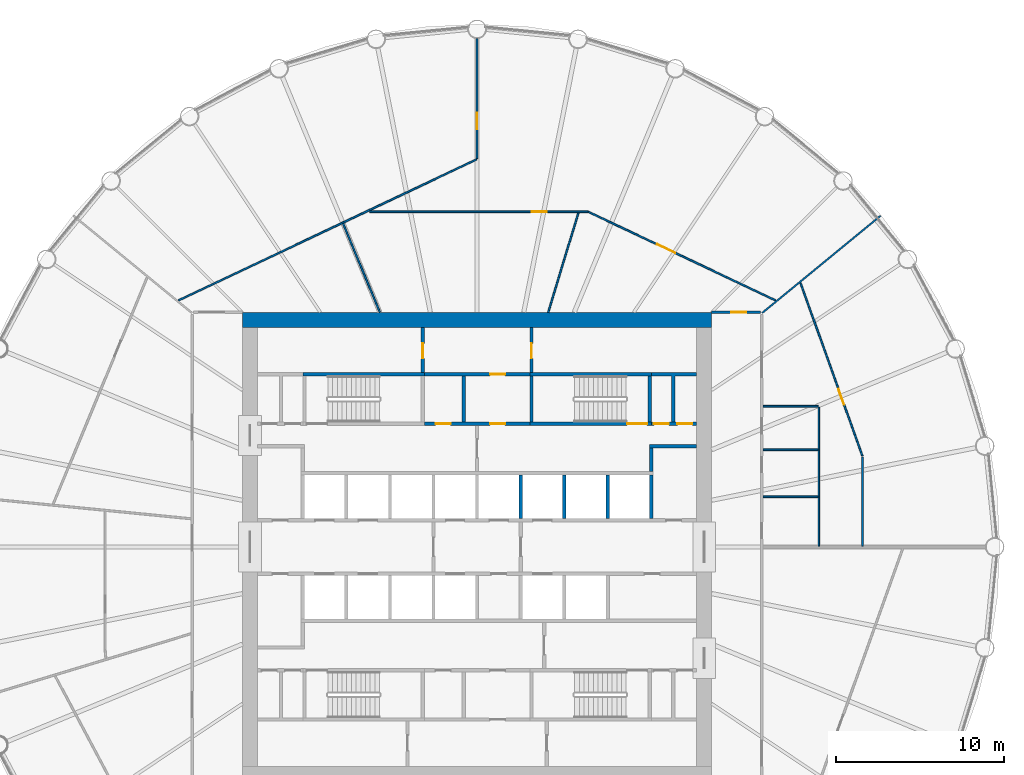
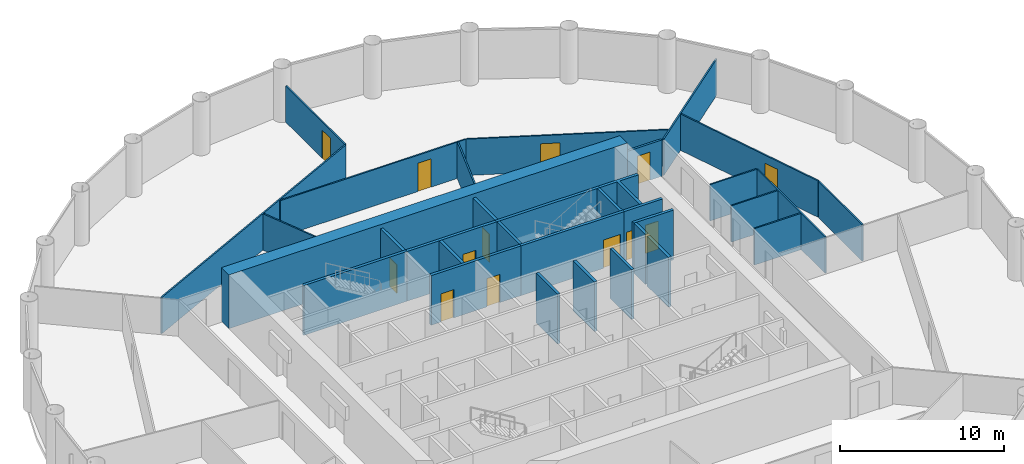
# One storey, part 7 of 9: 33 walls, 13 doors, 13 openings.
"""IFC4 building model written with IfcOpenShell, lengths in metres."""

from ifc_helpers import new_model, si_unit, direction, frame, frame_2d, origin, place, context, subcontext, project, spatial, polyline, rectangle, outline, extrude, material, layer, layer_set, type_object, element, fill, save


model = new_model("IFC4")

# Units and contexts
model_context = context("Model", 3, precision=1e-05, world=origin(), true_north=direction((0.0, 1.0)))
body_context = subcontext(model_context, "Body", "Model", "MODEL_VIEW")
ifc_project = project(units=[si_unit("LENGTHUNIT", "METRE"), si_unit("AREAUNIT", "SQUARE_METRE"), si_unit("VOLUMEUNIT", "CUBIC_METRE"), si_unit("PLANEANGLEUNIT", "RADIAN"), si_unit("MASSUNIT", "GRAM", prefix="KILO")], contexts=[model_context])

# Site, building, storey
site_placement = place(None, origin())
site = spatial("IfcSite", under=ifc_project, at=site_placement, CompositionType="ELEMENT")
building_placement = place(site_placement, origin())
building = spatial("IfcBuilding", under=site, at=building_placement, Name="Corvane Civic Tower", CompositionType="ELEMENT")
storey_placement = place(building_placement, frame((0.0, 0.0, 148.0)))
storey = spatial("IfcBuildingStorey", under=building, at=storey_placement, Name="L34", CompositionType="ELEMENT", Elevation=148.0)

# Wall
ifc_material_1 = material(Name="Concrete C60/75", Category="concrete")
ifc_layer_1 = layer(ifc_material_1, 0.89990234375)
ifc_layer_set_1 = layer_set([ifc_layer_1], Name="Concrete C60/75")
wall_type_1 = type_object("IfcWallType", Name="CORE WALL 900 C60/75", PredefinedType="SHEAR", material=ifc_layer_set_1)
wall_1_placement = place(storey_placement, frame((-14.0, 13.550048828125, 0.0), z_axis=(0.0, 0.0, 1.0), x_axis=(1.0, 0.0, 0.0)))
element("IfcWall", 1, at=wall_1_placement, inside=storey, type_object=wall_type_1, Name="W-L34-core-N", PredefinedType="SHEAR", context=body_context, shape_type="SweptSolid", body=[
    extrude(rectangle(XDim=28.0, YDim=0.89990234375, at=frame_2d((14.0, 0.0))), origin(), (0.0, 0.0, 1.0), 4.0),
])

# Wall, openings, doors
ifc_material_2 = material(Name="Concrete C30/37", Category="concrete")
ifc_layer_2 = layer(ifc_material_2, 0.199951171875)
ifc_layer_set_2 = layer_set([ifc_layer_2], Name="Concrete C30/37")
wall_type_2 = type_object("IfcWallType", Name="CR-WALL-200", PredefinedType="PARTITIONING", material=ifc_layer_set_2)
wall_2_placement = place(storey_placement, frame((-3.14990234375, 7.35009765625, 0.0), z_axis=(0.0, 0.0, 1.0), x_axis=(1.0, 0.0, 0.0)))
wall_2 = element("IfcWall", 2, at=wall_2_placement, inside=storey, type_object=wall_type_2, Name="L34 partition wall", PredefinedType="PARTITIONING", context=body_context, shape_type="SweptSolid", body=[
    extrude(rectangle(XDim=6.2998046875, YDim=0.199951171875, at=frame_2d((3.14990234375, 0.0))), origin(), (0.0, 0.0, 1.0), 3.699951171875),
])
opening_1_placement = place(wall_2_placement, frame((0.675048828125, 0.0, 0.0)))
opening_1 = element("IfcOpeningElement", 3, at=opening_1_placement, cuts=wall_2, Name="Opening L34.C06", PredefinedType="OPENING", context=body_context, shape_type="SweptSolid", body=[
    extrude(rectangle(XDim=0.89990234375, YDim=2.10009765625, at=frame_2d((0.449951171875, 1.050048828125))), frame((0.0, 0.10986328125, 0.0), z_axis=(0.0, -1.0, 0.0), x_axis=(1.0, 0.0, 0.0)), (0.0, 0.0, 1.0), 0.219970703125),
])
opening_2_placement = place(wall_2_placement, frame((3.925048828125, 0.0, 0.0)))
opening_2 = element("IfcOpeningElement", 4, at=opening_2_placement, cuts=wall_2, Name="Opening L34.C07", PredefinedType="OPENING", context=body_context, shape_type="SweptSolid", body=[
    extrude(rectangle(XDim=0.89990234375, YDim=2.10009765625, at=frame_2d((0.449951171875, 1.050048828125))), frame((0.0, 0.10986328125, 0.0), z_axis=(0.0, -1.0, 0.0), x_axis=(1.0, 0.0, 0.0)), (0.0, 0.0, 1.0), 0.219970703125),
])
ifc_material_3 = material(Name="Steel fire door leaf", Category="steel")
door_type_1 = type_object("IfcDoorType", Name="CR-DOOR-900", OperationType="SINGLE_SWING_LEFT", PredefinedType="DOOR", material=ifc_material_3)
door_1_placement = place(opening_1_placement, origin())
door_1 = element("IfcDoor", 5, at=door_1_placement, inside=storey, type_object=door_type_1, Name="L34 door", OperationType="SINGLE_SWING_LEFT", OverallHeight=2.10009765625, OverallWidth=0.89990234375, PredefinedType="DOOR", context=body_context, shape_type="SweptSolid", body=[
    extrude(rectangle(XDim=0.89990234375, YDim=2.10009765625, at=frame_2d((0.449951171875, 1.050048828125))), frame((0.0, 0.02490234375, 0.0), z_axis=(0.0, -1.0, 0.0), x_axis=(1.0, 0.0, 0.0)), (0.0, 0.0, 1.0), 0.050048828125),
])
fill(opening_1, door_1)
door_2_placement = place(opening_2_placement, origin())
door_2 = element("IfcDoor", 6, at=door_2_placement, inside=storey, type_object=door_type_1, Name="L34 door", OperationType="SINGLE_SWING_LEFT", OverallHeight=2.10009765625, OverallWidth=0.89990234375, PredefinedType="DOOR", context=body_context, shape_type="SweptSolid", body=[
    extrude(rectangle(XDim=0.89990234375, YDim=2.10009765625, at=frame_2d((0.449951171875, 1.050048828125))), frame((0.0, 0.02490234375, 0.0), z_axis=(0.0, -1.0, 0.0), x_axis=(1.0, 0.0, 0.0)), (0.0, 0.0, 1.0), 0.050048828125),
])
fill(opening_2, door_2)

wall_3_placement = place(storey_placement, frame((10.39990234375, 7.35009765625, 0.0), z_axis=(0.0, 0.0, 1.0), x_axis=(1.0, 0.0, 0.0)))
wall_3 = element("IfcWall", 7, at=wall_3_placement, inside=storey, type_object=wall_type_2, Name="L34 core partition wall", PredefinedType="PARTITIONING", context=body_context, shape_type="SweptSolid", body=[
    extrude(rectangle(XDim=2.7001953125, YDim=0.199951171875, at=frame_2d((1.35009765625, 0.0))), origin(), (0.0, 0.0, 1.0), 3.699951171875),
])
opening_3_placement = place(wall_3_placement, frame((0.14990234375, 0.0, 0.0)))
opening_3 = element("IfcOpeningElement", 8, at=opening_3_placement, cuts=wall_3, Name="Opening L34.C20", PredefinedType="OPENING", context=body_context, shape_type="SweptSolid", body=[
    extrude(rectangle(XDim=0.89990234375, YDim=2.10009765625, at=frame_2d((0.449951171875, 1.050048828125))), frame((0.0, 0.10986328125, 0.0), z_axis=(0.0, -1.0, 0.0), x_axis=(1.0, 0.0, 0.0)), (0.0, 0.0, 1.0), 0.219970703125),
])
opening_4_placement = place(wall_3_placement, frame((1.550048828125, 0.0, 0.0)))
opening_4 = element("IfcOpeningElement", 9, at=opening_4_placement, cuts=wall_3, Name="Opening L34.C21", PredefinedType="OPENING", context=body_context, shape_type="SweptSolid", body=[
    extrude(rectangle(XDim=0.89990234375, YDim=2.10009765625, at=frame_2d((0.449951171875, 1.050048828125))), frame((0.0, 0.10986328125, 0.0), z_axis=(0.0, -1.0, 0.0), x_axis=(1.0, 0.0, 0.0)), (0.0, 0.0, 1.0), 0.219970703125),
])
door_3_placement = place(opening_3_placement, origin())
door_3 = element("IfcDoor", 10, at=door_3_placement, inside=storey, type_object=door_type_1, Name="L34 door", OperationType="SINGLE_SWING_LEFT", OverallHeight=2.10009765625, OverallWidth=0.89990234375, PredefinedType="DOOR", context=body_context, shape_type="SweptSolid", body=[
    extrude(rectangle(XDim=0.89990234375, YDim=2.10009765625, at=frame_2d((0.449951171875, 1.050048828125))), frame((0.0, 0.02490234375, 0.0), z_axis=(0.0, -1.0, 0.0), x_axis=(1.0, 0.0, 0.0)), (0.0, 0.0, 1.0), 0.050048828125),
])
fill(opening_3, door_3)
door_4_placement = place(opening_4_placement, origin())
door_4 = element("IfcDoor", 11, at=door_4_placement, inside=storey, type_object=door_type_1, Name="L34 door", OperationType="SINGLE_SWING_LEFT", OverallHeight=2.10009765625, OverallWidth=0.89990234375, PredefinedType="DOOR", context=body_context, shape_type="SweptSolid", body=[
    extrude(rectangle(XDim=0.89990234375, YDim=2.10009765625, at=frame_2d((0.449951171875, 1.050048828125))), frame((0.0, 0.02490234375, 0.0), z_axis=(0.0, -1.0, 0.0), x_axis=(1.0, 0.0, 0.0)), (0.0, 0.0, 1.0), 0.050048828125),
])
fill(opening_4, door_4)

# Wall, opening, door
wall_4_placement = place(storey_placement, frame((-3.14990234375, 10.300048828125, 0.0), z_axis=(0.0, 0.0, 1.0), x_axis=(1.0, 0.0, 0.0)))
wall_4 = element("IfcWall", 12, at=wall_4_placement, inside=storey, type_object=wall_type_2, Name="L34 partition wall", PredefinedType="PARTITIONING", context=body_context, shape_type="SweptSolid", body=[
    extrude(rectangle(XDim=6.2998046875, YDim=0.199951171875, at=frame_2d((3.14990234375, 0.0))), origin(), (0.0, 0.0, 1.0), 3.699951171875),
])
opening_5_placement = place(wall_4_placement, frame((3.925048828125, 0.0, 0.0)))
opening_5 = element("IfcOpeningElement", 13, at=opening_5_placement, cuts=wall_4, Name="Opening L34.C11", PredefinedType="OPENING", context=body_context, shape_type="SweptSolid", body=[
    extrude(rectangle(XDim=0.89990234375, YDim=2.10009765625, at=frame_2d((0.449951171875, 1.050048828125))), frame((0.0, 0.10986328125, 0.0), z_axis=(0.0, -1.0, 0.0), x_axis=(1.0, 0.0, 0.0)), (0.0, 0.0, 1.0), 0.219970703125),
])
door_5_placement = place(opening_5_placement, origin())
door_5 = element("IfcDoor", 14, at=door_5_placement, inside=storey, type_object=door_type_1, Name="L34 door", OperationType="SINGLE_SWING_LEFT", OverallHeight=2.10009765625, OverallWidth=0.89990234375, PredefinedType="DOOR", context=body_context, shape_type="SweptSolid", body=[
    extrude(rectangle(XDim=0.89990234375, YDim=2.10009765625, at=frame_2d((0.449951171875, 1.050048828125))), frame((0.0, 0.02490234375, 0.0), z_axis=(0.0, -1.0, 0.0), x_axis=(1.0, 0.0, 0.0)), (0.0, 0.0, 1.0), 0.050048828125),
])
fill(opening_5, door_5)

wall_5_placement = place(storey_placement, frame((-3.25, 10.39990234375, 0.0), z_axis=(0.0, 0.0, 1.0), x_axis=(0.0, 1.0, 0.0)))
wall_5 = element("IfcWall", 15, at=wall_5_placement, inside=storey, type_object=wall_type_2, Name="L34 partition wall", PredefinedType="PARTITIONING", context=body_context, shape_type="SweptSolid", body=[
    extrude(rectangle(XDim=2.7001953125, YDim=0.199951171875, at=frame_2d((1.35009765625, 0.0))), origin(), (0.0, 0.0, 1.0), 3.699951171875),
])
opening_6_placement = place(wall_5_placement, frame((0.85009765625, 0.0, 0.0)))
opening_6 = element("IfcOpeningElement", 16, at=opening_6_placement, cuts=wall_5, Name="Opening L34.C10", PredefinedType="OPENING", context=body_context, shape_type="SweptSolid", body=[
    extrude(rectangle(XDim=0.89990234375, YDim=2.10009765625, at=frame_2d((0.449951171875, 1.050048828125))), frame((0.0, 0.10986328125, 0.0), z_axis=(0.0, -1.0, 0.0), x_axis=(1.0, 0.0, 0.0)), (0.0, 0.0, 1.0), 0.219970703125),
])
door_6_placement = place(opening_6_placement, origin())
door_6 = element("IfcDoor", 17, at=door_6_placement, inside=storey, type_object=door_type_1, Name="L34 door", OperationType="SINGLE_SWING_LEFT", OverallHeight=2.10009765625, OverallWidth=0.89990234375, PredefinedType="DOOR", context=body_context, shape_type="SweptSolid", body=[
    extrude(rectangle(XDim=0.89990234375, YDim=2.10009765625, at=frame_2d((0.449951171875, 1.050048828125))), frame((0.0, 0.02490234375, 0.0), z_axis=(0.0, -1.0, 0.0), x_axis=(1.0, 0.0, 0.0)), (0.0, 0.0, 1.0), 0.050048828125),
])
fill(opening_6, door_6)

wall_6_placement = place(storey_placement, frame((3.25, 10.39990234375, 0.0), z_axis=(0.0, 0.0, 1.0), x_axis=(0.0, 1.0, 0.0)))
wall_6 = element("IfcWall", 18, at=wall_6_placement, inside=storey, type_object=wall_type_2, Name="L34 partition wall", PredefinedType="PARTITIONING", context=body_context, shape_type="SweptSolid", body=[
    extrude(rectangle(XDim=2.7001953125, YDim=0.199951171875, at=frame_2d((1.35009765625, 0.0))), origin(), (0.0, 0.0, 1.0), 3.699951171875),
])
opening_7_placement = place(wall_6_placement, frame((0.85009765625, 0.0, 0.0)))
opening_7 = element("IfcOpeningElement", 19, at=opening_7_placement, cuts=wall_6, Name="Opening L34.C12", PredefinedType="OPENING", context=body_context, shape_type="SweptSolid", body=[
    extrude(rectangle(XDim=0.89990234375, YDim=2.10009765625, at=frame_2d((0.449951171875, 1.050048828125))), frame((0.0, 0.10986328125, 0.0), z_axis=(0.0, -1.0, 0.0), x_axis=(1.0, 0.0, 0.0)), (0.0, 0.0, 1.0), 0.219970703125),
])
door_7_placement = place(opening_7_placement, origin())
door_7 = element("IfcDoor", 20, at=door_7_placement, inside=storey, type_object=door_type_1, Name="L34 door", OperationType="SINGLE_SWING_LEFT", OverallHeight=2.10009765625, OverallWidth=0.89990234375, PredefinedType="DOOR", context=body_context, shape_type="SweptSolid", body=[
    extrude(rectangle(XDim=0.89990234375, YDim=2.10009765625, at=frame_2d((0.449951171875, 1.050048828125))), frame((0.0, 0.02490234375, 0.0), z_axis=(0.0, -1.0, 0.0), x_axis=(1.0, 0.0, 0.0)), (0.0, 0.0, 1.0), 0.050048828125),
])
fill(opening_7, door_7)

# Walls
wall_7_placement = place(storey_placement, origin())
element("IfcWall", 21, at=wall_7_placement, inside=storey, type_object=wall_type_2, Name="L34 core partition wall", PredefinedType="PARTITIONING", context=body_context, shape_type="SweptSolid", body=[
    extrude(outline(polyline([(13.10009765625, 5.89990234375), (10.300048828125, 5.89990234375), (10.300048828125, 6.10009765625), (13.10009765625, 6.10009765625), (13.10009765625, 5.89990234375)])), origin(), (0.0, 0.0, 1.0), 3.699951171875),
])
wall_8_placement = place(storey_placement, origin())
element("IfcWall", 22, at=wall_8_placement, inside=storey, type_object=wall_type_2, Name="L34 core partition wall", PredefinedType="PARTITIONING", context=body_context, shape_type="SweptSolid", body=[
    extrude(outline(polyline([(2.699951171875, 1.699951171875), (2.5, 1.699951171875), (2.5, 4.2998046875), (2.699951171875, 4.2998046875), (2.699951171875, 1.699951171875)])), origin(), (0.0, 0.0, 1.0), 3.699951171875),
])
wall_9_placement = place(storey_placement, origin())
element("IfcWall", 23, at=wall_9_placement, inside=storey, type_object=wall_type_2, Name="L34 core partition wall", PredefinedType="PARTITIONING", context=body_context, shape_type="SweptSolid", body=[
    extrude(outline(polyline([(5.300048828125, 1.699951171875), (5.10009765625, 1.699951171875), (5.10009765625, 4.2998046875), (5.300048828125, 4.2998046875), (5.300048828125, 1.699951171875)])), origin(), (0.0, 0.0, 1.0), 3.699951171875),
])
wall_10_placement = place(storey_placement, origin())
element("IfcWall", 24, at=wall_10_placement, inside=storey, type_object=wall_type_2, Name="L34 core partition wall", PredefinedType="PARTITIONING", context=body_context, shape_type="SweptSolid", body=[
    extrude(outline(polyline([(7.89990234375, 1.699951171875), (7.699951171875, 1.699951171875), (7.699951171875, 4.2998046875), (7.89990234375, 4.2998046875), (7.89990234375, 1.699951171875)])), origin(), (0.0, 0.0, 1.0), 3.699951171875),
])
wall_11_placement = place(storey_placement, origin())
element("IfcWall", 25, at=wall_11_placement, inside=storey, type_object=wall_type_2, Name="L34 core partition wall", PredefinedType="PARTITIONING", context=body_context, shape_type="SweptSolid", body=[
    extrude(outline(polyline([(10.5, 1.699951171875), (10.300048828125, 1.699951171875), (10.300048828125, 4.2998046875), (10.5, 4.2998046875), (10.5, 1.699951171875)])), origin(), (0.0, 0.0, 1.0), 3.699951171875),
])
wall_12_placement = place(storey_placement, origin())
element("IfcWall", 26, at=wall_12_placement, inside=storey, type_object=wall_type_2, Name="L34 core partition wall", PredefinedType="PARTITIONING", context=body_context, shape_type="SweptSolid", body=[
    extrude(outline(polyline([(10.5, 4.5), (10.300048828125, 4.5), (10.300048828125, 5.89990234375), (10.5, 5.89990234375), (10.5, 4.5)])), origin(), (0.0, 0.0, 1.0), 3.699951171875),
])
wall_13_placement = place(storey_placement, origin())
element("IfcWall", 27, at=wall_13_placement, inside=storey, type_object=wall_type_2, Name="L34 core partition wall", PredefinedType="PARTITIONING", context=body_context, shape_type="SweptSolid", body=[
    extrude(outline(polyline([(-0.699951171875, 7.449951171875), (-0.89990234375, 7.449951171875), (-0.89990234375, 10.199951171875), (-0.699951171875, 10.199951171875), (-0.699951171875, 7.449951171875)])), origin(), (0.0, 0.0, 1.0), 3.699951171875),
])
wall_14_placement = place(storey_placement, origin())
element("IfcWall", 28, at=wall_14_placement, inside=storey, type_object=wall_type_2, Name="L34 core partition wall", PredefinedType="PARTITIONING", context=body_context, shape_type="SweptSolid", body=[
    extrude(outline(polyline([(13.10009765625, 10.39990234375), (13.10009765625, 10.199951171875), (11.800048828125, 10.199951171875), (11.800048828125, 7.449951171875), (11.60009765625, 7.449951171875), (11.60009765625, 10.199951171875), (10.39990234375, 10.199951171875), (10.39990234375, 10.39990234375), (13.10009765625, 10.39990234375)])), origin(), (0.0, 0.0, 1.0), 3.699951171875),
])
ifc_material_4 = material(Name="Plasterboard")
ifc_layer_3 = layer(ifc_material_4, 0.10009765625)
ifc_layer_set_3 = layer_set([ifc_layer_3], Name="Plasterboard")
wall_type_3 = type_object("IfcWallType", Name="Partition 100 plasterboard on studs", PredefinedType="PARTITIONING", material=ifc_layer_set_3)
wall_15_placement = place(storey_placement, frame((20.39990234375, 0.050048828125, 0.0), z_axis=(0.0, 0.0, 1.0), x_axis=(0.0, 1.0, 0.0)))
element("IfcWall", 29, at=wall_15_placement, inside=storey, type_object=wall_type_3, Name="Partition L34.020", PredefinedType="PARTITIONING", context=body_context, shape_type="SweptSolid", body=[
    extrude(rectangle(XDim=8.300048828125, YDim=0.10009765625, at=frame_2d((4.14990234375, 0.0))), origin(), (0.0, 0.0, 1.0), 2.699951171875),
])
wall_16_placement = place(storey_placement, frame((23.0, 0.050048828125, 0.0), z_axis=(0.0, 0.0, 1.0), x_axis=(0.0, 1.0, 0.0)))
element("IfcWall", 30, at=wall_16_placement, inside=storey, type_object=wall_type_3, Name="Partition L34.021", PredefinedType="PARTITIONING", context=body_context, shape_type="SweptSolid", body=[
    extrude(rectangle(XDim=5.30712890625, YDim=0.10009765625, at=frame_2d((2.653564453125, 0.0))), origin(), (0.0, 0.0, 1.0), 2.699951171875),
])
wall_17_placement = place(storey_placement, frame((17.074951171875, 3.0, 0.0), z_axis=(0.0, 0.0, 1.0), x_axis=(1.0, 0.0, 0.0)))
element("IfcWall", 31, at=wall_17_placement, inside=storey, type_object=wall_type_3, Name="Partition L34.024", PredefinedType="PARTITIONING", context=body_context, shape_type="SweptSolid", body=[
    extrude(rectangle(XDim=3.275146484375, YDim=0.10009765625, at=frame_2d((1.6376953125, 0.0))), origin(), (0.0, 0.0, 1.0), 2.699951171875),
])

# Wall, opening, door
wall_18_placement = place(storey_placement, frame((19.304931640625, 15.756591796875, 0.0), z_axis=(0.0, 0.0, 1.0), x_axis=(0.336896220681, -0.941541786906, 0.0)))
wall_18 = element("IfcWall", 32, at=wall_18_placement, inside=storey, type_object=wall_type_3, Name="Partition L34.025", PredefinedType="PARTITIONING", context=body_context, shape_type="SweptSolid", body=[
    extrude(rectangle(XDim=10.966552734375, YDim=0.10009765625, at=frame_2d((5.4833984375, 0.0))), origin(), (0.0, 0.0, 1.0), 2.699951171875),
])
opening_8_placement = place(wall_18_placement, frame((6.72314453125, 0.0, 0.0)))
opening_8 = element("IfcOpeningElement", 33, at=opening_8_placement, cuts=wall_18, Name="Opening L34.012", PredefinedType="OPENING", context=body_context, shape_type="SweptSolid", body=[
    extrude(rectangle(XDim=1.0, YDim=2.10009765625, at=frame_2d((0.5, 1.050048828125))), frame((0.0, 0.06005859375, 0.0), z_axis=(0.0, -1.0, 0.0), x_axis=(1.0, 0.0, 0.0)), (0.0, 0.0, 1.0), 0.1201171875),
])
ifc_material_5 = material(Name="Timber", Category="wood")
door_type_2 = type_object("IfcDoorType", Name="Single door 1000", OperationType="NOTDEFINED", PredefinedType="DOOR", material=ifc_material_5)
door_8_placement = place(opening_8_placement, origin())
door_8 = element("IfcDoor", 34, at=door_8_placement, inside=storey, type_object=door_type_2, Name="Door L34.012", OperationType="SINGLE_SWING_LEFT", OverallHeight=2.10009765625, OverallWidth=1.0, PredefinedType="DOOR", context=body_context, shape_type="SweptSolid", body=[
    extrude(rectangle(XDim=1.0, YDim=2.10009765625, at=frame_2d((0.5, 1.050048828125))), frame((0.0, 0.02490234375, 0.0), z_axis=(0.0, -1.0, 0.0), x_axis=(1.0, 0.0, 0.0)), (0.0, 0.0, 1.0), 0.050048828125),
])
fill(opening_8, door_8)

# Walls
for number, where, z_axis, x_axis, name in (
    (35, (17.074951171875, 5.800048828125, 0.0), (0.0, 0.0, 1.0), (1.0, 0.0, 0.0), "Partition L34.026"),
    (36, (17.074951171875, 8.39990234375, 0.0), (0.0, 0.0, 1.0), (1.0, 0.0, 0.0), "Partition L34.027"),
):
    element("IfcWall", number, at=place(storey_placement, frame(where, z_axis=z_axis, x_axis=x_axis)), inside=storey, type_object=wall_type_3, Name=name, PredefinedType="PARTITIONING", context=body_context, shape_type="SweptSolid", body=[
        extrude(rectangle(XDim=3.275146484375, YDim=0.10009765625, at=frame_2d((1.6376953125, 0.0))), origin(), (0.0, 0.0, 1.0), 2.699951171875),
    ])
wall_19_placement = place(storey_placement, frame((17.018310546875, 13.966552734375, 0.0), z_axis=(0.0, 0.0, 1.0), x_axis=(0.773006154143, 0.634398522742, 0.0)))
element("IfcWall", 37, at=wall_19_placement, inside=storey, type_object=wall_type_3, Name="Partition L34.029", PredefinedType="PARTITIONING", context=body_context, shape_type="SweptSolid", body=[
    extrude(rectangle(XDim=9.134521484375, YDim=0.10009765625, at=frame_2d((4.5673828125, 0.0))), origin(), (0.0, 0.0, 1.0), 2.699951171875),
])
wall_20_placement = place(storey_placement, frame((-7.994873046875, 19.30126953125, 0.0), z_axis=(0.0, 0.0, 1.0), x_axis=(0.382692431756, -0.92387580479, 0.0)))
element("IfcWall", 38, at=wall_20_placement, inside=storey, type_object=wall_type_3, Name="Partition L34.031", PredefinedType="PARTITIONING", context=body_context, shape_type="SweptSolid", body=[
    extrude(rectangle(XDim=5.718017578125, YDim=0.10009765625, at=frame_2d((2.85888671875, 0.0))), origin(), (0.0, 0.0, 1.0), 2.699951171875),
])
wall_21_placement = place(storey_placement, frame((4.246826171875, 14.0, 0.0), z_axis=(0.0, 0.0, 1.0), x_axis=(0.290285954228, 0.956939948366, 0.0)))
element("IfcWall", 39, at=wall_21_placement, inside=storey, type_object=wall_type_3, Name="Partition L34.032", PredefinedType="PARTITIONING", context=body_context, shape_type="SweptSolid", body=[
    extrude(rectangle(XDim=6.20263671875, YDim=0.10009765625, at=frame_2d((3.101318359375, 0.0))), origin(), (0.0, 0.0, 1.0), 2.699951171875),
])
wall_22_placement = place(storey_placement, frame((-17.81640625, 14.714111328125, 0.0), z_axis=(0.0, 0.0, 1.0), x_axis=(0.903992844698, 0.427547584176, 0.0)))
element("IfcWall", 40, at=wall_22_placement, inside=storey, type_object=wall_type_3, Name="Partition L34.034", PredefinedType="PARTITIONING", context=body_context, shape_type="SweptSolid", body=[
    extrude(rectangle(XDim=19.677001953125, YDim=0.10009765625, at=frame_2d((9.83837890625, 0.0))), origin(), (0.0, 0.0, 1.0), 2.699951171875),
])

# Wall, opening, door
wall_23_placement = place(storey_placement, frame((6.650390625, 19.9951171875, 0.0), z_axis=(0.0, 0.0, 1.0), x_axis=(0.903993242608, -0.427546742847, 0.0)))
wall_23 = element("IfcWall", 41, at=wall_23_placement, inside=storey, type_object=wall_type_3, Name="Partition L34.035", PredefinedType="PARTITIONING", context=body_context, shape_type="SweptSolid", body=[
    extrude(rectangle(XDim=12.351806640625, YDim=0.10009765625, at=frame_2d((6.17578125, 0.0))), origin(), (0.0, 0.0, 1.0), 2.699951171875),
])
opening_9_placement = place(wall_23_placement, frame((4.5244140625, 0.0, 0.0)))
opening_9 = element("IfcOpeningElement", 42, at=opening_9_placement, cuts=wall_23, Name="Opening L34.002", PredefinedType="OPENING", context=body_context, shape_type="SweptSolid", body=[
    extrude(rectangle(XDim=1.199951171875, YDim=2.10009765625, at=frame_2d((0.60009765625, 1.050048828125))), frame((0.0, 0.06005859375, 0.0), z_axis=(0.0, -1.0, 0.0), x_axis=(1.0, 0.0, 0.0)), (0.0, 0.0, 1.0), 0.1201171875),
])
ifc_material_6 = material(Name="Timber", Category="wood")
door_type_3 = type_object("IfcDoorType", Name="Double door 1200", OperationType="NOTDEFINED", PredefinedType="DOOR", material=ifc_material_6)
door_9_placement = place(opening_9_placement, origin())
door_9 = element("IfcDoor", 43, at=door_9_placement, inside=storey, type_object=door_type_3, Name="Door L34.002", OperationType="DOUBLE_DOOR_SINGLE_SWING", OverallHeight=2.10009765625, OverallWidth=1.199951171875, PredefinedType="DOOR", context=body_context, shape_type="SweptSolid", body=[
    extrude(rectangle(XDim=1.199951171875, YDim=2.10009765625, at=frame_2d((0.60009765625, 1.050048828125))), frame((0.0, 0.02490234375, 0.0), z_axis=(0.0, -1.0, 0.0), x_axis=(1.0, 0.0, 0.0)), (0.0, 0.0, 1.0), 0.050048828125),
])
fill(opening_9, door_9)

wall_24_placement = place(storey_placement, frame((-6.41748046875, 20.0, 0.0), z_axis=(0.0, 0.0, 1.0), x_axis=(1.0, 0.0, 0.0)))
wall_24 = element("IfcWall", 44, at=wall_24_placement, inside=storey, type_object=wall_type_3, Name="Partition L34.036", PredefinedType="PARTITIONING", context=body_context, shape_type="SweptSolid", body=[
    extrude(rectangle(XDim=13.04638671875, YDim=0.10009765625, at=frame_2d((6.523193359375, 0.0))), origin(), (0.0, 0.0, 1.0), 2.699951171875),
])
opening_10_placement = place(wall_24_placement, frame((9.67919921875, 0.0, 0.0)))
opening_10 = element("IfcOpeningElement", 45, at=opening_10_placement, cuts=wall_24, Name="Opening L34.004", PredefinedType="OPENING", context=body_context, shape_type="SweptSolid", body=[
    extrude(rectangle(XDim=0.89990234375, YDim=2.10009765625, at=frame_2d((0.449951171875, 1.050048828125))), frame((0.0, 0.06005859375, 0.0), z_axis=(0.0, -1.0, 0.0), x_axis=(1.0, 0.0, 0.0)), (0.0, 0.0, 1.0), 0.1201171875),
])
ifc_material_7 = material(Name="Timber", Category="wood")
door_type_4 = type_object("IfcDoorType", Name="Single door 900", OperationType="NOTDEFINED", PredefinedType="DOOR", material=ifc_material_7)
door_10_placement = place(opening_10_placement, frame((0.89990234375, 0.0, 0.0), z_axis=(0.0, 0.0, 1.0), x_axis=(-1.0, 0.0, 0.0)))
door_10 = element("IfcDoor", 46, at=door_10_placement, inside=storey, type_object=door_type_4, Name="Door L34.004", OperationType="SINGLE_SWING_LEFT", OverallHeight=2.10009765625, OverallWidth=0.89990234375, PredefinedType="DOOR", context=body_context, shape_type="SweptSolid", body=[
    extrude(rectangle(XDim=0.89990234375, YDim=2.10009765625, at=frame_2d((0.449951171875, 1.050048828125))), frame((0.0, 0.02490234375, 0.0), z_axis=(0.0, -1.0, 0.0), x_axis=(1.0, 0.0, 0.0)), (0.0, 0.0, 1.0), 0.050048828125),
])
fill(opening_10, door_10)

wall_25_placement = place(storey_placement, frame((0.0, 23.172119140625, 0.0), z_axis=(0.0, 0.0, 1.0), x_axis=(0.0, 1.0, 0.0)))
wall_25 = element("IfcWall", 47, at=wall_25_placement, inside=storey, type_object=wall_type_3, Name="Partition L34.037", PredefinedType="PARTITIONING", context=body_context, shape_type="SweptSolid", body=[
    extrude(rectangle(XDim=7.167724609375, YDim=0.10009765625, at=frame_2d((3.583984375, 0.0))), origin(), (0.0, 0.0, 1.0), 2.699951171875),
])
opening_11_placement = place(wall_25_placement, frame((1.7451171875, 0.0, 0.0)))
opening_11 = element("IfcOpeningElement", 48, at=opening_11_placement, cuts=wall_25, Name="Opening L34.001", PredefinedType="OPENING", context=body_context, shape_type="SweptSolid", body=[
    extrude(rectangle(XDim=1.0, YDim=2.10009765625, at=frame_2d((0.5, 1.050048828125))), frame((0.0, 0.06005859375, 0.0), z_axis=(0.0, -1.0, 0.0), x_axis=(1.0, 0.0, 0.0)), (0.0, 0.0, 1.0), 0.1201171875),
])
door_11_placement = place(opening_11_placement, frame((1.0, 0.0, 0.0), z_axis=(0.0, 0.0, 1.0), x_axis=(-1.0, 0.0, 0.0)))
door_11 = element("IfcDoor", 49, at=door_11_placement, inside=storey, type_object=door_type_2, Name="Door L34.001", OperationType="SINGLE_SWING_LEFT", OverallHeight=2.10009765625, OverallWidth=1.0, PredefinedType="DOOR", context=body_context, shape_type="SweptSolid", body=[
    extrude(rectangle(XDim=1.0, YDim=2.10009765625, at=frame_2d((0.5, 1.050048828125))), frame((0.0, 0.02490234375, 0.0), z_axis=(0.0, -1.0, 0.0), x_axis=(1.0, 0.0, 0.0)), (0.0, 0.0, 1.0), 0.050048828125),
])
fill(opening_11, door_11)

ifc_material_8 = material(Name="Concrete C50/60", Category="concrete")
ifc_layer_4 = layer(ifc_material_8, 0.199951171875)
ifc_layer_set_4 = layer_set([ifc_layer_4], Name="Concrete C50/60")
wall_type_4 = type_object("IfcWallType", Name="ST-WALL-200", PredefinedType="SHEAR", material=ifc_layer_set_4)
wall_26_placement = place(storey_placement, frame((3.14990234375, 7.35009765625, 0.0), z_axis=(0.0, 0.0, 1.0), x_axis=(1.0, 0.0, 0.0)))
wall_26 = element("IfcWall", 50, at=wall_26_placement, inside=storey, type_object=wall_type_4, Name="L34 stair enclosure wall", PredefinedType="SHEAR", context=body_context, shape_type="SweptSolid", body=[
    extrude(rectangle(XDim=7.25, YDim=0.199951171875, at=frame_2d((3.625, 0.0))), origin(), (0.0, 0.0, 1.0), 3.699951171875),
])
opening_12_placement = place(wall_26_placement, frame((5.800048828125, 0.0, 0.0)))
opening_12 = element("IfcOpeningElement", 51, at=opening_12_placement, cuts=wall_26, Name="Opening L34.C24", PredefinedType="OPENING", context=body_context, shape_type="SweptSolid", body=[
    extrude(rectangle(XDim=1.199951171875, YDim=2.10009765625, at=frame_2d((0.60009765625, 1.050048828125))), frame((0.0, 0.10986328125, 0.0), z_axis=(0.0, -1.0, 0.0), x_axis=(1.0, 0.0, 0.0)), (0.0, 0.0, 1.0), 0.219970703125),
])
ifc_material_9 = material(Name="Steel fire door leaf", Category="steel")
door_type_5 = type_object("IfcDoorType", Name="ST-DOOR-1200", OperationType="SINGLE_SWING_RIGHT", PredefinedType="DOOR", material=ifc_material_9)
door_12_placement = place(opening_12_placement, origin())
door_12 = element("IfcDoor", 52, at=door_12_placement, inside=storey, type_object=door_type_5, Name="L34 stair door", OperationType="SINGLE_SWING_RIGHT", OverallHeight=2.10009765625, OverallWidth=1.199951171875, PredefinedType="DOOR", context=body_context, shape_type="SweptSolid", body=[
    extrude(rectangle(XDim=1.199951171875, YDim=2.10009765625, at=frame_2d((0.60009765625, 1.050048828125))), frame((0.0, 0.02490234375, 0.0), z_axis=(0.0, -1.0, 0.0), x_axis=(1.0, 0.0, 0.0)), (0.0, 0.0, 1.0), 0.050048828125),
])
fill(opening_12, door_12)

# Walls
wall_27_placement = place(storey_placement, origin())
element("IfcWall", 53, at=wall_27_placement, inside=storey, type_object=wall_type_4, Name="L34 stair enclosure wall", PredefinedType="SHEAR", context=body_context, shape_type="SweptSolid", body=[
    extrude(outline(polyline([(-3.14990234375, 10.199951171875), (-10.39990234375, 10.199951171875), (-10.39990234375, 10.39990234375), (-3.14990234375, 10.39990234375), (-3.14990234375, 10.199951171875)])), origin(), (0.0, 0.0, 1.0), 3.699951171875),
])
wall_28_placement = place(storey_placement, origin())
element("IfcWall", 54, at=wall_28_placement, inside=storey, type_object=wall_type_4, Name="L34 stair enclosure wall", PredefinedType="SHEAR", context=body_context, shape_type="SweptSolid", body=[
    extrude(outline(polyline([(10.39990234375, 10.199951171875), (3.14990234375, 10.199951171875), (3.14990234375, 10.39990234375), (10.39990234375, 10.39990234375), (10.39990234375, 10.199951171875)])), origin(), (0.0, 0.0, 1.0), 3.699951171875),
])
wall_29_placement = place(storey_placement, origin())
element("IfcWall", 55, at=wall_29_placement, inside=storey, type_object=wall_type_4, Name="L34 stair enclosure wall", PredefinedType="SHEAR", context=body_context, shape_type="SweptSolid", body=[
    extrude(outline(polyline([(3.35009765625, 7.449951171875), (3.14990234375, 7.449951171875), (3.14990234375, 10.199951171875), (3.35009765625, 10.199951171875), (3.35009765625, 7.449951171875)])), origin(), (0.0, 0.0, 1.0), 3.699951171875),
])
wall_30_placement = place(storey_placement, origin())
element("IfcWall", 56, at=wall_30_placement, inside=storey, type_object=wall_type_4, Name="L34 stair enclosure wall", PredefinedType="SHEAR", context=body_context, shape_type="SweptSolid", body=[
    extrude(outline(polyline([(10.39990234375, 7.449951171875), (10.199951171875, 7.449951171875), (10.199951171875, 10.199951171875), (10.39990234375, 10.199951171875), (10.39990234375, 7.449951171875)])), origin(), (0.0, 0.0, 1.0), 3.699951171875),
])

# Wall, opening, door
ifc_material_10 = material(Name="Plasterboard")
ifc_layer_5 = layer(ifc_material_10, 0.14990234375)
ifc_layer_set_5 = layer_set([ifc_layer_5], Name="Plasterboard")
wall_type_5 = type_object("IfcWallType", Name="Tenancy wall 150 EI 60", PredefinedType="PARTITIONING", material=ifc_layer_set_5)
wall_31_placement = place(storey_placement, frame((13.989990234375, 14.0, 0.0), z_axis=(0.0, 0.0, 1.0), x_axis=(1.0, 0.0, 0.0)))
wall_31 = element("IfcWall", 57, at=wall_31_placement, inside=storey, type_object=wall_type_5, Name="Partition L34.033", PredefinedType="PARTITIONING", context=body_context, shape_type="SweptSolid", body=[
    extrude(rectangle(XDim=2.93505859375, YDim=0.14990234375, at=frame_2d((1.467529296875, 0.0))), origin(), (0.0, 0.0, 1.0), 2.699951171875),
])
opening_13_placement = place(wall_31_placement, frame((1.1875, 0.0, 0.0)))
opening_13 = element("IfcOpeningElement", 58, at=opening_13_placement, cuts=wall_31, Name="Opening L34.005", PredefinedType="OPENING", context=body_context, shape_type="SweptSolid", body=[
    extrude(rectangle(XDim=0.89990234375, YDim=2.10009765625, at=frame_2d((0.449951171875, 1.050048828125))), frame((0.0, 0.0849609375, 0.0), z_axis=(0.0, -1.0, 0.0), x_axis=(1.0, 0.0, 0.0)), (0.0, 0.0, 1.0), 0.169921875),
])
ifc_material_11 = material(Name="Steel and timber", Category="steel")
door_type_6 = type_object("IfcDoorType", Name="Fire door FD30S 900", OperationType="NOTDEFINED", PredefinedType="DOOR", material=ifc_material_11)
door_13_placement = place(opening_13_placement, origin())
door_13 = element("IfcDoor", 59, at=door_13_placement, inside=storey, type_object=door_type_6, Name="Door L34.005", OperationType="SINGLE_SWING_RIGHT", OverallHeight=2.10009765625, OverallWidth=0.89990234375, PredefinedType="DOOR", context=body_context, shape_type="SweptSolid", body=[
    extrude(rectangle(XDim=0.89990234375, YDim=2.10009765625, at=frame_2d((0.449951171875, 1.050048828125))), frame((0.0, 0.02490234375, 0.0), z_axis=(0.0, -1.0, 0.0), x_axis=(1.0, 0.0, 0.0)), (0.0, 0.0, 1.0), 0.050048828125),
])
fill(opening_13, door_13)

save(model, "model.ifc")
